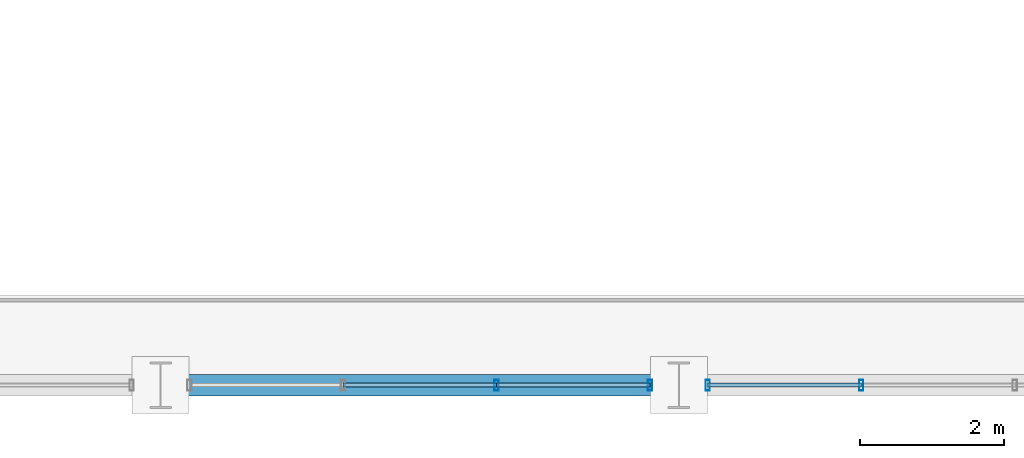
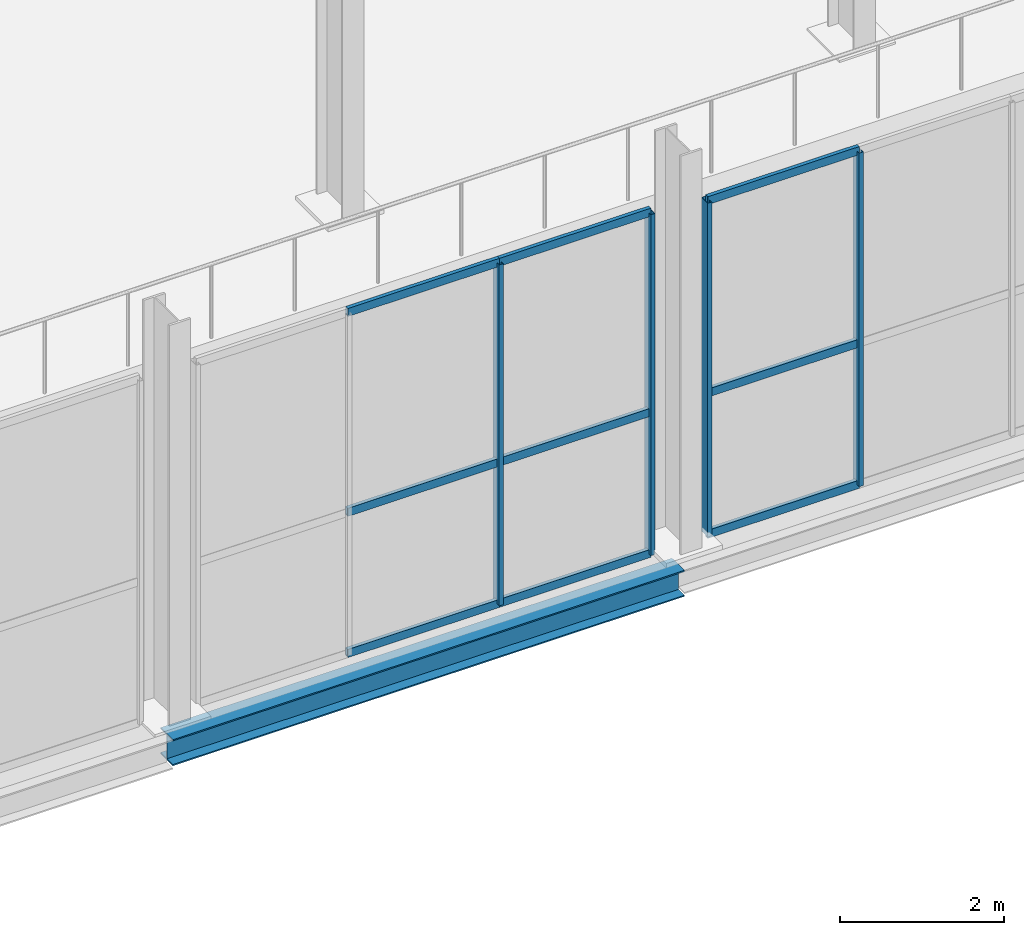
# One storey, part 78 of 144: 13 members, 1 beam, 2 elements without a shape of their own.
"""IFC4 building model written with IfcOpenShell, lengths in metres."""

from ifc_helpers import new_model, si_unit, direction, frame, origin, origin_2d, place, context, subcontext, project, spatial, hollow_rectangle, i_section, extrude, material, layer, layer_set, material_profile, profile_set, type_object, element, aggregate, save


model = new_model("IFC4")

# Units and contexts
model_context = context("Model", 3, precision=1e-05, world=origin(), true_north=direction((0.0, 1.0)))
body_context = subcontext(model_context, "Body", "Model", "MODEL_VIEW")
ifc_project = project(units=[si_unit("LENGTHUNIT", "METRE"), si_unit("AREAUNIT", "SQUARE_METRE"), si_unit("VOLUMEUNIT", "CUBIC_METRE"), si_unit("PLANEANGLEUNIT", "RADIAN"), si_unit("MASSUNIT", "GRAM", prefix="KILO")], contexts=[model_context])

# Site, building, storey
site_placement = place(None, origin())
site = spatial("IfcSite", under=ifc_project, at=site_placement, CompositionType="ELEMENT")
building_placement = place(site_placement, origin())
building = spatial("IfcBuilding", under=site, at=building_placement, Name="Sundgate Opera House", CompositionType="ELEMENT")
storey_placement = place(building_placement, origin())
storey = spatial("IfcBuildingStorey", under=building, at=storey_placement, Name="L00", CompositionType="ELEMENT", Elevation=0.0)

# Beam
ifc_material_1 = material(Name="Steel S355J2", Category="steel")
ifc_material_profile_1 = material_profile(ifc_material_1, i_section(OverallWidth=0.300048828125, OverallDepth=0.389892578125, WebThickness=0.010986328125, FlangeThickness=0.01904296875, at=origin_2d()), Name="HEA 400")
ifc_profile_set_1 = profile_set([ifc_material_profile_1], Name="Steel S355J2")
beam_type = type_object("IfcBeamType", Name="BM-GR-HEA400", PredefinedType="BEAM", material=ifc_profile_set_1)
beam_placement = place(storey_placement, frame((131.39990234375, 0.0, -0.514892578125), z_axis=(1.0, 0.0, 0.0), x_axis=(0.0, 1.0, 0.0)))
element("IfcBeam", 1, at=beam_placement, inside=storey, type_object=beam_type, Name="L00 Primary E-W Girder B0333", PredefinedType="BEAM", context=body_context, shape_type="SweptSolid", body=[
    extrude(i_section(OverallWidth=0.300048828125, OverallDepth=0.389892578125, WebThickness=0.010986328125, FlangeThickness=0.01904296875, at=origin_2d()), origin(), (0.0, 0.0, 1.0), 7.2001953125),
])

# Curtain wall, members
ifc_material_2 = material(Name="Anodized aluminium and low-iron glass", Category="aluminium")
ifc_layer = layer(ifc_material_2, 0.14990234375)
ifc_layer_set = layer_set([ifc_layer], Name="Anodized aluminium and low-iron glass")
curtain_wall_type = type_object("IfcCurtainWallType", Name="CW-WORKSHOP-DARK", PredefinedType="NOTDEFINED", material=ifc_layer_set)
curtain_wall_1_placement = place(storey_placement, origin())
curtain_wall_1 = element("IfcCurtainWall", 2, at=curtain_wall_1_placement, inside=storey, type_object=curtain_wall_type, Name="L00 Curtain Wall CW125", PredefinedType="NOTDEFINED")
ifc_material_3 = material(Name="Anodized aluminium EN AW-6063", Category="aluminium")
ifc_material_profile_2 = material_profile(ifc_material_3, hollow_rectangle(XDim=0.06005859375, YDim=0.14990234375, WallThickness=0.00390625, at=origin_2d()), Name="CWM 150x60x4")
ifc_profile_set_2 = profile_set([ifc_material_profile_2], Name="Anodized aluminium EN AW-6063")
member_type_1 = type_object("IfcMemberType", Name="CWM-ALU-150x60", PredefinedType="MULLION", material=ifc_profile_set_2)
member_1_placement = place(storey_placement, frame((138.199951171875, 0.0, 0.0), z_axis=(0.0, 0.0, 1.0), x_axis=(1.0, 0.0, 0.0)))
member_1 = element("IfcMember", 3, at=member_1_placement, type_object=member_type_1, Name="CW125 Mullion 1", PredefinedType="MULLION", context=body_context, shape_type="SweptSolid", body=[
    extrude(hollow_rectangle(XDim=0.06005859375, YDim=0.14990234375, WallThickness=0.00390625, at=origin_2d()), origin(), (0.0, 0.0, 1.0), 5.074951171875),
])
member_2_placement = place(storey_placement, frame((136.066650390625, 0.0, 0.0), z_axis=(0.0, 0.0, 1.0), x_axis=(1.0, 0.0, 0.0)))
member_2 = element("IfcMember", 4, at=member_2_placement, type_object=member_type_1, Name="CW125 Mullion 2", PredefinedType="MULLION", context=body_context, shape_type="SweptSolid", body=[
    extrude(hollow_rectangle(XDim=0.06005859375, YDim=0.14990234375, WallThickness=0.00390625, at=origin_2d()), origin(), (0.0, 0.0, 1.0), 5.074951171875),
])

curtain_wall_2_placement = place(storey_placement, origin())
curtain_wall_2 = element("IfcCurtainWall", 5, at=curtain_wall_2_placement, inside=storey, type_object=curtain_wall_type, Name="L00 Curtain Wall CW126", PredefinedType="NOTDEFINED")
member_3_placement = place(storey_placement, frame((141.13330078125, 0.0, 0.0), z_axis=(0.0, 0.0, 1.0), x_axis=(1.0, 0.0, 0.0)))
member_3 = element("IfcMember", 6, at=member_3_placement, type_object=member_type_1, Name="CW126 Mullion 3", PredefinedType="MULLION", context=body_context, shape_type="SweptSolid", body=[
    extrude(hollow_rectangle(XDim=0.06005859375, YDim=0.14990234375, WallThickness=0.00390625, at=origin_2d()), origin(), (0.0, 0.0, 1.0), 4.965087890625),
])
member_4_placement = place(storey_placement, frame((139.0, 0.0, 0.0), z_axis=(0.0, 0.0, 1.0), x_axis=(1.0, 0.0, 0.0)))
member_4 = element("IfcMember", 7, at=member_4_placement, type_object=member_type_1, Name="CW126 Mullion 4", PredefinedType="MULLION", context=body_context, shape_type="SweptSolid", body=[
    extrude(hollow_rectangle(XDim=0.06005859375, YDim=0.14990234375, WallThickness=0.00390625, at=origin_2d()), origin(), (0.0, 0.0, 1.0), 4.965087890625),
])

# Member
ifc_material_4 = material(Name="Anodized aluminium EN AW-6063", Category="aluminium")
ifc_material_profile_3 = material_profile(ifc_material_4, hollow_rectangle(XDim=0.054931640625, YDim=0.1201171875, WallThickness=0.00390625, at=origin_2d()), Name="CWT 120x55x4")
ifc_profile_set_3 = profile_set([ifc_material_profile_3], Name="Anodized aluminium EN AW-6063")
member_type_2 = type_object("IfcMemberType", Name="CWT-ALU-120x55", PredefinedType="USERDEFINED", material=ifc_profile_set_3)
member_5_placement = place(storey_placement, frame((138.199951171875, 0.0, 0.0), z_axis=(-1.0, 0.0, 0.0), x_axis=(0.0, -1.0, 0.0)))
member_5 = element("IfcMember", 8, at=member_5_placement, type_object=member_type_2, Name="CW125 Transom 1", ObjectType="TRANSOM", PredefinedType="USERDEFINED", context=body_context, shape_type="SweptSolid", body=[
    extrude(hollow_rectangle(XDim=0.054931640625, YDim=0.1201171875, WallThickness=0.00390625, at=origin_2d()), origin(), (0.0, 0.0, 1.0), 2.13330078125),
])

member_6_placement = place(storey_placement, frame((138.199951171875, 0.0, 2.10009765625), z_axis=(-1.0, 0.0, 0.0), x_axis=(0.0, -1.0, 0.0)))
member_6 = element("IfcMember", 9, at=member_6_placement, type_object=member_type_2, Name="CW125 Transom 2", ObjectType="TRANSOM", PredefinedType="USERDEFINED", context=body_context, shape_type="SweptSolid", body=[
    extrude(hollow_rectangle(XDim=0.054931640625, YDim=0.1201171875, WallThickness=0.00390625, at=origin_2d()), origin(), (0.0, 0.0, 1.0), 2.13330078125),
])

member_7_placement = place(storey_placement, frame((138.199951171875, 0.0, 5.074951171875), z_axis=(-1.0, 0.0, 0.0), x_axis=(0.0, -1.0, 0.0)))
member_7 = element("IfcMember", 10, at=member_7_placement, type_object=member_type_2, Name="CW125 Transom 3", ObjectType="TRANSOM", PredefinedType="USERDEFINED", context=body_context, shape_type="SweptSolid", body=[
    extrude(hollow_rectangle(XDim=0.054931640625, YDim=0.1201171875, WallThickness=0.00390625, at=origin_2d()), origin(), (0.0, 0.0, 1.0), 2.13330078125),
])

member_8_placement = place(storey_placement, frame((136.066650390625, 0.0, 0.0), z_axis=(-1.0, 0.0, 0.0), x_axis=(0.0, -1.0, 0.0)))
member_8 = element("IfcMember", 11, at=member_8_placement, type_object=member_type_2, Name="CW125 Transom 4", ObjectType="TRANSOM", PredefinedType="USERDEFINED", context=body_context, shape_type="SweptSolid", body=[
    extrude(hollow_rectangle(XDim=0.054931640625, YDim=0.1201171875, WallThickness=0.00390625, at=origin_2d()), origin(), (0.0, 0.0, 1.0), 2.13330078125),
])

member_9_placement = place(storey_placement, frame((136.066650390625, 0.0, 2.10009765625), z_axis=(-1.0, 0.0, 0.0), x_axis=(0.0, -1.0, 0.0)))
member_9 = element("IfcMember", 12, at=member_9_placement, type_object=member_type_2, Name="CW125 Transom 5", ObjectType="TRANSOM", PredefinedType="USERDEFINED", context=body_context, shape_type="SweptSolid", body=[
    extrude(hollow_rectangle(XDim=0.054931640625, YDim=0.1201171875, WallThickness=0.00390625, at=origin_2d()), origin(), (0.0, 0.0, 1.0), 2.13330078125),
])

member_10_placement = place(storey_placement, frame((136.066650390625, 0.0, 5.074951171875), z_axis=(-1.0, 0.0, 0.0), x_axis=(0.0, -1.0, 0.0)))
member_10 = element("IfcMember", 13, at=member_10_placement, type_object=member_type_2, Name="CW125 Transom 6", ObjectType="TRANSOM", PredefinedType="USERDEFINED", context=body_context, shape_type="SweptSolid", body=[
    extrude(hollow_rectangle(XDim=0.054931640625, YDim=0.1201171875, WallThickness=0.00390625, at=origin_2d()), origin(), (0.0, 0.0, 1.0), 2.13330078125),
])

aggregate(curtain_wall_1, [member_1, member_2, member_5, member_6, member_7, member_8, member_9, member_10])

member_11_placement = place(storey_placement, frame((141.13330078125, 0.0, 0.0), z_axis=(-1.0, 0.0, 0.0), x_axis=(0.0, -1.0, 0.0)))
member_11 = element("IfcMember", 14, at=member_11_placement, type_object=member_type_2, Name="CW126 Transom 7", ObjectType="TRANSOM", PredefinedType="USERDEFINED", context=body_context, shape_type="SweptSolid", body=[
    extrude(hollow_rectangle(XDim=0.054931640625, YDim=0.1201171875, WallThickness=0.00390625, at=origin_2d()), origin(), (0.0, 0.0, 1.0), 2.13330078125),
])

member_12_placement = place(storey_placement, frame((141.13330078125, 0.0, 2.10009765625), z_axis=(-1.0, 0.0, 0.0), x_axis=(0.0, -1.0, 0.0)))
member_12 = element("IfcMember", 15, at=member_12_placement, type_object=member_type_2, Name="CW126 Transom 8", ObjectType="TRANSOM", PredefinedType="USERDEFINED", context=body_context, shape_type="SweptSolid", body=[
    extrude(hollow_rectangle(XDim=0.054931640625, YDim=0.1201171875, WallThickness=0.00390625, at=origin_2d()), origin(), (0.0, 0.0, 1.0), 2.13330078125),
])

member_13_placement = place(storey_placement, frame((141.13330078125, 0.0, 4.965087890625), z_axis=(-1.0, 0.0, 0.0), x_axis=(0.0, -1.0, 0.0)))
member_13 = element("IfcMember", 16, at=member_13_placement, type_object=member_type_2, Name="CW126 Transom 9", ObjectType="TRANSOM", PredefinedType="USERDEFINED", context=body_context, shape_type="SweptSolid", body=[
    extrude(hollow_rectangle(XDim=0.054931640625, YDim=0.1201171875, WallThickness=0.00390625, at=origin_2d()), origin(), (0.0, 0.0, 1.0), 2.13330078125),
])

aggregate(curtain_wall_2, [member_3, member_4, member_11, member_12, member_13])

save(model, "model.ifc")
